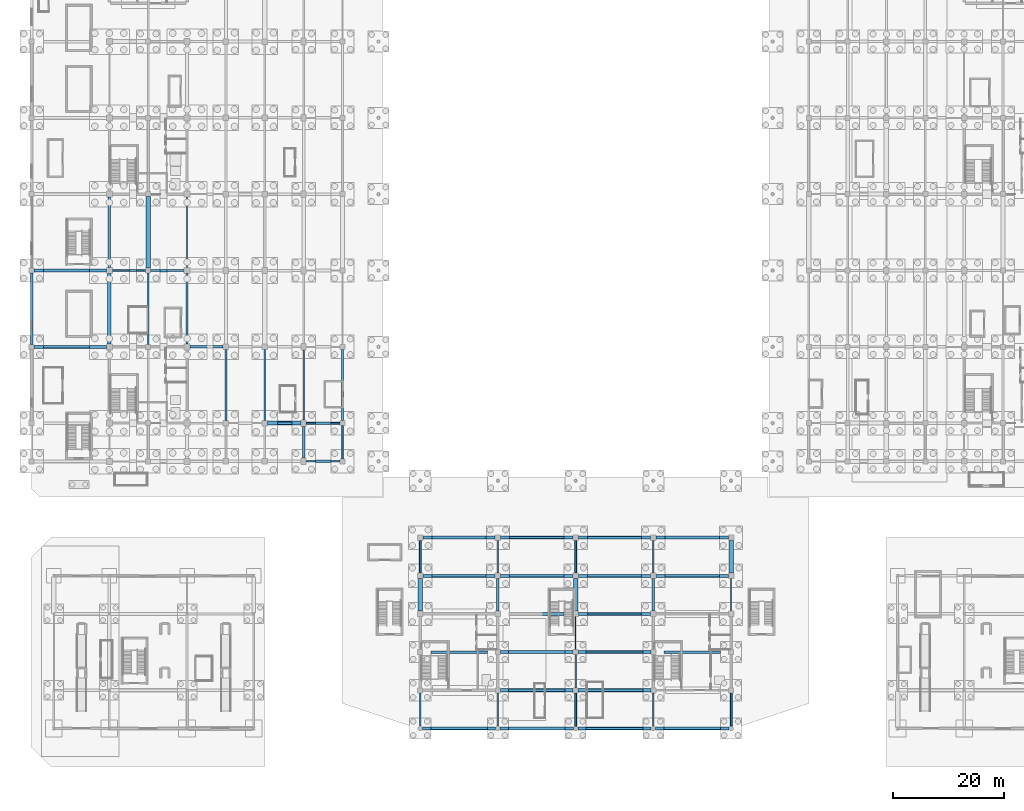
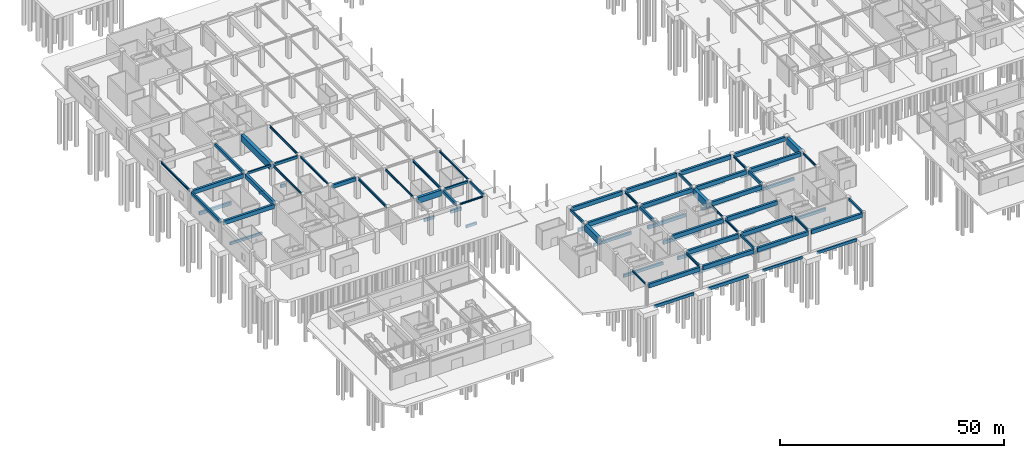
# One storey, part 30 of 62: 83 beams.
"""IFC4 building model written with IfcOpenShell, lengths in metres."""

import ifcopenshell
import ifcopenshell.guid

model = None  # the IFC model being written
_history = None  # IfcOwnerHistory: only IFC2X3 demands one
_inside = {}  # id of a spatial element -> (the spatial element, [elements in it])
_under = {}  # id of a project, library or spatial element -> (it, [spatial elements below it])
_declared = {}  # id of a project -> (the project, [libraries it declares])
_typed = {}  # id of a type object -> (the type object, [elements of that type])
_made_of = {}  # id of a material, layer set ... -> (it, [elements and type objects made of it])


def new_model(schema):
    """Start an empty IFC model of exactly this schema.

    Asked for "IFC4X3", IfcOpenShell would pick the latest addendum, in which some entities
    have other attributes; the version numbers below select the first issue.
    IFC2X3 requires an IfcOwnerHistory on every rooted entity: one is made here for all.
    """
    global model, _history
    if schema == "IFC4X3":
        model = ifcopenshell.file(schema_version=(4, 3, 0, 0))
    else:
        model = ifcopenshell.file(schema=schema)
    _inside.clear()
    _under.clear()
    _declared.clear()
    _typed.clear()
    _made_of.clear()
    _history = None
    if model.schema == "IFC2X3":
        org = make("IfcOrganization", Name="unknown")
        user = make(
            "IfcPersonAndOrganization",
            ThePerson=make("IfcPerson", FamilyName="unknown"),
            TheOrganization=org,
        )
        app = make(
            "IfcApplication",
            ApplicationDeveloper=org,
            Version="unknown",
            ApplicationFullName="unknown",
            ApplicationIdentifier="unknown",
        )
        _history = make(
            "IfcOwnerHistory",
            OwningUser=user,
            OwningApplication=app,
            ChangeAction="ADDED",
            CreationDate=0,
        )
    return model


def make(cls, **values):
    """One entity of the class cls with the attributes given. An attribute that is None is left unset."""
    return model.create_entity(
        cls, **{name: value for name, value in values.items() if value is not None}
    )


def rooted(cls, **values):
    """An entity with a GlobalId (a new one), such as an element, a storey or a relation."""
    return make(cls, GlobalId=ifcopenshell.guid.new(), OwnerHistory=_history, **values)


def si_unit(unit_type, name, prefix=None):
    """IfcSIUnit, for example si_unit("LENGTHUNIT", "METRE", prefix="MILLI")."""
    return make("IfcSIUnit", UnitType=unit_type, Prefix=prefix, Name=name)


def assignment(units):
    """IfcUnitAssignment: the units of a project."""
    return None if units is None else make("IfcUnitAssignment", Units=units)


def point(xyz):
    """IfcCartesianPoint."""
    return None if xyz is None else make("IfcCartesianPoint", Coordinates=xyz)


def direction(xyz):
    """IfcDirection."""
    return None if xyz is None else make("IfcDirection", DirectionRatios=xyz)


def frame(location, z_axis=None, x_axis=None):
    """IfcAxis2Placement3D, a coordinate frame: its origin and axes. An axis left out is left unset."""
    return make(
        "IfcAxis2Placement3D",
        Location=point(location),
        Axis=direction(z_axis),
        RefDirection=direction(x_axis),
    )


def frame_2d(location, x_axis=None):
    """IfcAxis2Placement2D, a coordinate frame in the plane: its origin and x axis."""
    return make(
        "IfcAxis2Placement2D", Location=point(location), RefDirection=direction(x_axis)
    )


def origin():
    """The frame at (0, 0, 0) with its axes left unset."""
    return frame((0.0, 0.0, 0.0))


def origin_2d():
    """The frame at (0, 0) in the plane with its x axis left unset."""
    return frame_2d((0.0, 0.0))


def place(relative_to, where):
    """IfcLocalPlacement: puts the frame where relative to a parent placement (None: the world)."""
    return make(
        "IfcLocalPlacement", PlacementRelTo=relative_to, RelativePlacement=where
    )


def context(
    kind, dimensions, precision=None, world=None, true_north=None, identifier=None
):
    """IfcGeometricRepresentationContext, for example the 3D "Model" context."""
    return make(
        "IfcGeometricRepresentationContext",
        ContextIdentifier=identifier,
        ContextType=kind,
        CoordinateSpaceDimension=dimensions,
        Precision=precision,
        WorldCoordinateSystem=world,
        TrueNorth=true_north,
    )


def subcontext(parent, identifier, kind, view, scale=None):
    """IfcGeometricRepresentationSubContext, for example "Body" below "Model"."""
    return make(
        "IfcGeometricRepresentationSubContext",
        ContextIdentifier=identifier,
        ContextType=kind,
        ParentContext=parent,
        TargetScale=scale,
        TargetView=view,
    )


def project(units=None, contexts=None):
    """IfcProject with its units and contexts."""
    return rooted(
        "IfcProject",
        Name="project",
        RepresentationContexts=contexts,
        UnitsInContext=assignment(units),
    )


def spatial(cls, under=None, at=None, **own):
    """A site, building, storey or space (cls), placed at a placement, below another one or the project."""
    s = rooted(cls, ObjectPlacement=at, **own)
    if under is not None:
        _under.setdefault(under.id(), (under, []))[1].append(s)
    return s


def profile(cls, at=None, kind="AREA", **sizes):
    """A parametric profile (cls). Its sizes go by their IFC names, for example OverallWidth=200.0."""
    return make(cls, ProfileType=kind, Position=at, **sizes)


def rectangle(**sizes):
    """IfcRectangleProfileDef."""
    return profile("IfcRectangleProfileDef", **sizes)


def i_section(**sizes):
    """IfcIShapeProfileDef."""
    return profile("IfcIShapeProfileDef", **sizes)


def extrude(swept, where, along, depth):
    """IfcExtrudedAreaSolid: the profile swept, set in the frame where, extruded along a direction by depth."""
    return make(
        "IfcExtrudedAreaSolid",
        SweptArea=swept,
        Position=where,
        ExtrudedDirection=direction(along),
        Depth=depth,
    )


def shape(context_of_items, identifier, shape_type, items):
    """IfcShapeRepresentation: the items that make up one representation, for example the "Body"."""
    return make(
        "IfcShapeRepresentation",
        ContextOfItems=context_of_items,
        RepresentationIdentifier=identifier,
        RepresentationType=shape_type,
        Items=items,
    )


def material(Name=None, Category=None):
    """IfcMaterial."""
    return make("IfcMaterial", Name=Name, Category=Category)


def material_profile(
    of_material, cross_section, Name=None, Category=None, Priority=None
):
    """IfcMaterialProfile: a cross section and its material."""
    return make(
        "IfcMaterialProfile",
        Name=Name,
        Material=of_material,
        Profile=cross_section,
        Priority=Priority,
        Category=Category,
    )


def profile_set(profiles, Name=None, composite=None):
    """IfcMaterialProfileSet."""
    return make(
        "IfcMaterialProfileSet",
        Name=Name,
        MaterialProfiles=profiles,
        CompositeProfile=composite,
    )


def made_of(thing, what):
    """Note that an element or type object is made of a material, layer set ...; save() writes the relation."""
    if what is not None:
        _made_of.setdefault(what.id(), (what, []))[1].append(thing)
    return thing


def type_object(cls, material=None, **own):
    """A type object (cls), such as IfcWallType, which elements share."""
    return made_of(rooted(cls, **own), material)


def element(
    cls,
    number,
    at=None,
    inside=None,
    cuts=None,
    type_object=None,
    material=None,
    context=None,
    identifier="Body",
    shape_type=None,
    held_by="IfcProductDefinitionShape",
    body=None,
    shapes=None,
    **own,
):
    """One element of the class cls, such as IfcWall. Its Tag is "e" and its number.

    at: its placement. inside: the storey or other place that contains it. cuts: it is an
    opening in that element (IfcRelVoidsElement). A single representation is given by context,
    identifier, shape_type and body (its items); several are given by shapes. held_by: the class
    of the entity that holds the representations. save() writes the other relations.
    """
    e = rooted(cls, Tag="e%d" % number, ObjectPlacement=at, **own)
    if body is not None:
        shapes = [shape(context, identifier, shape_type, body)]
    if shapes is not None:
        e.Representation = make(held_by, Representations=shapes)
    if inside is not None:
        _inside.setdefault(inside.id(), (inside, []))[1].append(e)
    if cuts is not None:
        rooted(
            "IfcRelVoidsElement", RelatingBuildingElement=cuts, RelatedOpeningElement=e
        )
    if type_object is not None:
        _typed.setdefault(type_object.id(), (type_object, []))[1].append(e)
    return made_of(e, material)


def aggregate(whole, parts):
    """IfcRelAggregates: a whole, such as a stair, and the parts it consists of."""
    return rooted("IfcRelAggregates", RelatingObject=whole, RelatedObjects=parts)


def save(model, path):
    """Write the relations noted so far, then the file.

    IfcRelAggregates (storeys below a building ...), IfcRelContainedInSpatialStructure (elements
    in a storey), IfcRelDefinesByType, IfcRelAssociatesMaterial and IfcRelDeclares: one each for
    every whole, place, type object, material and project.
    """
    for whole, parts in _under.values():
        aggregate(whole, parts)
    for where, things in _inside.values():
        rooted(
            "IfcRelContainedInSpatialStructure",
            RelatedElements=things,
            RelatingStructure=where,
        )
    for kind, things in _typed.values():
        rooted("IfcRelDefinesByType", RelatedObjects=things, RelatingType=kind)
    for what, things in _made_of.values():
        rooted("IfcRelAssociatesMaterial", RelatedObjects=things, RelatingMaterial=what)
    for by, libraries in _declared.values():
        rooted("IfcRelDeclares", RelatingContext=by, RelatedDefinitions=libraries)
    model.write(path)


model = new_model("IFC4")

# Units and contexts
model_context = context("Model", 3, precision=1e-05, world=origin(), true_north=direction((0.0, 1.0)))
body_context = subcontext(model_context, "Body", "Model", "MODEL_VIEW")
ifc_project = project(units=[si_unit("LENGTHUNIT", "METRE"), si_unit("AREAUNIT", "SQUARE_METRE"), si_unit("VOLUMEUNIT", "CUBIC_METRE"), si_unit("PLANEANGLEUNIT", "RADIAN"), si_unit("MASSUNIT", "GRAM", prefix="KILO")], contexts=[model_context])

# Site, building, storey
site_placement = place(None, origin())
site = spatial("IfcSite", under=ifc_project, at=site_placement, CompositionType="ELEMENT")
building_placement = place(site_placement, origin())
building = spatial("IfcBuilding", under=site, at=building_placement, Name="Linyun Crest Stadium", CompositionType="ELEMENT")
storey_placement = place(building_placement, frame((0.0, 0.0, -6.0)))
storey = spatial("IfcBuildingStorey", under=building, at=storey_placement, Name="B1", CompositionType="ELEMENT", Elevation=-6.0)

# Beams
ifc_material_1 = material(Name="Concrete C40", Category="concrete")
ifc_material_profile_1 = material_profile(ifc_material_1, rectangle(XDim=0.35009765625, YDim=0.60009765625, at=origin_2d()), Name="RCB 600x350")
ifc_profile_set_1 = profile_set([ifc_material_profile_1], Name="Concrete C40")
beam_type_1 = type_object("IfcBeamType", Name="B01", PredefinedType="BEAM", material=ifc_profile_set_1)
beam_1_placement = place(storey_placement, frame((-48.550048828125, -39.125, 5.449951171875), z_axis=(1.0, 0.0, 0.0), x_axis=(0.0, 1.0, 0.0)))
element("IfcBeam", 1, at=beam_1_placement, inside=storey, type_object=beam_type_1, Name="Frame beam B01 B1 11", PredefinedType="BEAM", context=body_context, shape_type="SweptSolid", body=[
    extrude(rectangle(XDim=0.35009765625, YDim=0.60009765625, at=origin_2d()), origin(), (0.0, 0.0, 1.0), 6.10009765625),
])
beam_2_placement = place(storey_placement, frame((-83.449951171875, -11.625, 5.449951171875), z_axis=(1.0, 0.0, 0.0), x_axis=(0.0, 1.0, 0.0)))
element("IfcBeam", 2, at=beam_2_placement, inside=storey, type_object=beam_type_1, Name="Frame beam B01 B1 18", PredefinedType="BEAM", context=body_context, shape_type="SweptSolid", body=[
    extrude(rectangle(XDim=0.35009765625, YDim=0.60009765625, at=origin_2d()), origin(), (0.0, 0.0, 1.0), 6.0),
])
ifc_material_2 = material(Name="Concrete C40", Category="concrete")
ifc_material_profile_2 = material_profile(ifc_material_2, rectangle(XDim=0.35009765625, YDim=0.64990234375, at=origin_2d()), Name="RCB 650x350")
ifc_profile_set_2 = profile_set([ifc_material_profile_2], Name="Concrete C40")
beam_type_2 = type_object("IfcBeamType", Name="B02", PredefinedType="BEAM", material=ifc_profile_set_2)
beam_3_placement = place(storey_placement, frame((-42.0, -45.550048828125, 5.425048828125), z_axis=(0.0, 1.0, 0.0), x_axis=(-1.0, 0.0, 0.0)))
element("IfcBeam", 3, at=beam_3_placement, inside=storey, type_object=beam_type_2, Name="Frame beam B02 B1 89", PredefinedType="BEAM", context=body_context, shape_type="SweptSolid", body=[
    extrude(rectangle(XDim=0.35009765625, YDim=0.64990234375, at=origin_2d()), origin(), (0.0, 0.0, 1.0), 5.97509765625),
])
beam_4_placement = place(storey_placement, frame((-28.0, -66.125, 5.425048828125), z_axis=(0.0, 1.0, 0.0), x_axis=(-1.0, 0.0, 0.0)))
element("IfcBeam", 4, at=beam_4_placement, inside=storey, type_object=beam_type_2, Name="Frame beam B02 B1 853", PredefinedType="BEAM", context=body_context, shape_type="SweptSolid", body=[
    extrude(rectangle(XDim=0.35009765625, YDim=0.64990234375, at=origin_2d()), origin(), (0.0, 0.0, 1.0), 5.875),
])
beam_5_placement = place(storey_placement, frame((0.0, -93.72509765625, 5.425048828125), z_axis=(0.0, 1.0, 0.0), x_axis=(-1.0, 0.0, 0.0)))
element("IfcBeam", 5, at=beam_5_placement, inside=storey, type_object=beam_type_2, Name="Frame beam B02 B1 857", PredefinedType="BEAM", context=body_context, shape_type="SweptSolid", body=[
    extrude(rectangle(XDim=0.35009765625, YDim=0.64990234375, at=origin_2d()), origin(), (0.0, 0.0, 1.0), 6.025146484375),
])
beam_6_placement = place(storey_placement, frame((0.0, -66.125, 5.425048828125), z_axis=(0.0, 1.0, 0.0), x_axis=(-1.0, 0.0, 0.0)))
element("IfcBeam", 6, at=beam_6_placement, inside=storey, type_object=beam_type_2, Name="Frame beam B02 B1 861", PredefinedType="BEAM", context=body_context, shape_type="SweptSolid", body=[
    extrude(rectangle(XDim=0.35009765625, YDim=0.64990234375, at=origin_2d()), origin(), (0.0, 0.0, 1.0), 5.875),
])
beam_7_placement = place(storey_placement, frame((28.0, -93.72509765625, 5.425048828125), z_axis=(0.0, 1.0, 0.0), x_axis=(-1.0, 0.0, 0.0)))
element("IfcBeam", 7, at=beam_7_placement, inside=storey, type_object=beam_type_2, Name="Frame beam B02 B1 865", PredefinedType="BEAM", context=body_context, shape_type="SweptSolid", body=[
    extrude(rectangle(XDim=0.35009765625, YDim=0.64990234375, at=origin_2d()), origin(), (0.0, 0.0, 1.0), 6.025146484375),
])
ifc_material_3 = material(Name="Concrete C40", Category="concrete")
ifc_material_profile_3 = material_profile(ifc_material_3, rectangle(XDim=0.39990234375, YDim=0.75, at=origin_2d()), Name="RCB 750x400")
ifc_profile_set_3 = profile_set([ifc_material_profile_3], Name="Concrete C40")
beam_type_3 = type_object("IfcBeamType", Name="B03", PredefinedType="BEAM", material=ifc_profile_set_3)
beam_8_placement = place(storey_placement, frame((-76.550048828125, -11.625, 5.375), z_axis=(1.0, 0.0, 0.0), x_axis=(0.0, 1.0, 0.0)))
element("IfcBeam", 8, at=beam_8_placement, inside=storey, type_object=beam_type_3, Name="Frame beam B03 B1 19", PredefinedType="BEAM", context=body_context, shape_type="SweptSolid", body=[
    extrude(rectangle(XDim=0.39990234375, YDim=0.75, at=origin_2d()), origin(), (0.0, 0.0, 1.0), 6.0),
])
ifc_material_4 = material(Name="Concrete C40", Category="concrete")
ifc_material_profile_4 = material_profile(ifc_material_4, rectangle(XDim=0.449951171875, YDim=0.85009765625, at=origin_2d()), Name="RCB 850x450")
ifc_profile_set_4 = profile_set([ifc_material_profile_4], Name="Concrete C40")
beam_type_4 = type_object("IfcBeamType", Name="B04", PredefinedType="BEAM", material=ifc_profile_set_4)
beam_9_placement = place(storey_placement, frame((-98.0, -24.925048828125, 5.324951171875), z_axis=(0.0, 1.0, 0.0), x_axis=(-1.0, 0.0, 0.0)))
element("IfcBeam", 9, at=beam_9_placement, inside=storey, type_object=beam_type_4, Name="Frame beam B04 B1 48", PredefinedType="BEAM", context=body_context, shape_type="SweptSolid", body=[
    extrude(rectangle(XDim=0.449951171875, YDim=0.85009765625, at=origin_2d()), origin(), (0.0, 0.0, 1.0), 12.85009765625),
])
beam_10_placement = place(storey_placement, frame((-84.0, -11.074951171875, 5.324951171875), z_axis=(0.0, 1.0, 0.0), x_axis=(-1.0, 0.0, 0.0)))
element("IfcBeam", 10, at=beam_10_placement, inside=storey, type_object=beam_type_4, Name="Frame beam B04 B1 55", PredefinedType="BEAM", context=body_context, shape_type="SweptSolid", body=[
    extrude(rectangle(XDim=0.449951171875, YDim=0.85009765625, at=origin_2d()), origin(), (0.0, 0.0, 1.0), 12.64990234375),
])
beam_11_placement = place(storey_placement, frame((-49.0, -45.39990234375, 5.324951171875), z_axis=(0.0, 1.0, 0.0), x_axis=(-1.0, 0.0, 0.0)))
element("IfcBeam", 11, at=beam_11_placement, inside=storey, type_object=beam_type_4, Name="Frame beam B04 B1 82", PredefinedType="BEAM", context=body_context, shape_type="SweptSolid", body=[
    extrude(rectangle(XDim=0.449951171875, YDim=0.85009765625, at=origin_2d()), origin(), (0.0, 0.0, 1.0), 5.6748046875),
])
for number, where, z_axis, x_axis, name in (
    (12, (-14.0, -73.0, 5.324951171875), (0.0, 1.0, 0.0), (-1.0, 0.0, 0.0), "Frame beam B04 B1 855"),
    (13, (14.0, -73.0, 5.324951171875), (0.0, 1.0, 0.0), (-1.0, 0.0, 0.0), "Frame beam B04 B1 863"),
):
    element("IfcBeam", number, at=place(storey_placement, frame(where, z_axis=z_axis, x_axis=x_axis)), inside=storey, type_object=beam_type_4, Name=name, PredefinedType="BEAM", context=body_context, shape_type="SweptSolid", body=[
        extrude(rectangle(XDim=0.449951171875, YDim=0.85009765625, at=origin_2d()), origin(), (0.0, 0.0, 1.0), 5.875),
    ])
ifc_material_5 = material(Name="Concrete C40", Category="concrete")
ifc_material_profile_5 = material_profile(ifc_material_5, rectangle(XDim=0.5, YDim=1.0, at=origin_2d()), Name="RCB 1000x500")
ifc_profile_set_5 = profile_set([ifc_material_profile_5], Name="Concrete C40")
beam_type_5 = type_object("IfcBeamType", Name="B05", PredefinedType="BEAM", material=ifc_profile_set_5)
beam_12_placement = place(storey_placement, frame((-69.449951171875, -25.375, 5.25), z_axis=(1.0, 0.0, 0.0), x_axis=(0.0, 1.0, 0.0)))
element("IfcBeam", 14, at=beam_12_placement, inside=storey, type_object=beam_type_5, Name="Frame beam B05 B1 13", PredefinedType="BEAM", context=body_context, shape_type="SweptSolid", body=[
    extrude(rectangle(XDim=0.5, YDim=1.0, at=origin_2d()), origin(), (0.0, 0.0, 1.0), 5.949951171875),
])
ifc_material_6 = material(Name="Steel Q355C", Category="steel")
ifc_material_profile_6 = material_profile(ifc_material_6, i_section(OverallWidth=0.300048828125, OverallDepth=0.389892578125, WebThickness=0.010009765625, FlangeThickness=0.01611328125, at=origin_2d()), Name="HM 390x300")
ifc_profile_set_6 = profile_set([ifc_material_profile_6], Name="Steel Q355C")
beam_type_6 = type_object("IfcBeamType", Name="B06", PredefinedType="BEAM", material=ifc_profile_set_6)
beam_13_placement = place(storey_placement, frame((-48.550048828125, -46.0, 5.554931640625), z_axis=(1.0, 0.0, 0.0), x_axis=(0.0, 1.0, 0.0)))
element("IfcBeam", 15, at=beam_13_placement, inside=storey, type_object=beam_type_6, Name="Frame beam B06 B1 7", PredefinedType="BEAM", context=body_context, shape_type="SweptSolid", body=[
    extrude(i_section(OverallWidth=0.300048828125, OverallDepth=0.389892578125, WebThickness=0.010009765625, FlangeThickness=0.01611328125, at=origin_2d()), origin(), (0.0, 0.0, 1.0), 6.10009765625),
])
ifc_material_7 = material(Name="Steel Q355C", Category="steel")
ifc_material_profile_7 = material_profile(ifc_material_7, i_section(OverallWidth=0.300048828125, OverallDepth=0.43994140625, WebThickness=0.010986328125, FlangeThickness=0.01806640625, at=origin_2d()), Name="HM 440x300")
ifc_profile_set_7 = profile_set([ifc_material_profile_7], Name="Steel Q355C")
beam_type_7 = type_object("IfcBeamType", Name="B07", PredefinedType="BEAM", material=ifc_profile_set_7)
beam_14_placement = place(storey_placement, frame((-70.0, -24.824951171875, 5.530029296875), z_axis=(0.0, 1.0, 0.0), x_axis=(-1.0, 0.0, 0.0)))
element("IfcBeam", 16, at=beam_14_placement, inside=storey, type_object=beam_type_7, Name="Frame beam B07 B1 65", PredefinedType="BEAM", context=body_context, shape_type="SweptSolid", body=[
    extrude(i_section(OverallWidth=0.300048828125, OverallDepth=0.43994140625, WebThickness=0.010986328125, FlangeThickness=0.01806640625, at=origin_2d()), origin(), (0.0, 0.0, 1.0), 12.64990234375),
])
beam_15_placement = place(storey_placement, frame((-42.0, -38.675048828125, 5.530029296875), z_axis=(0.0, 1.0, 0.0), x_axis=(-1.0, 0.0, 0.0)))
element("IfcBeam", 17, at=beam_15_placement, inside=storey, type_object=beam_type_7, Name="Frame beam B07 B1 90", PredefinedType="BEAM", context=body_context, shape_type="SweptSolid", body=[
    extrude(i_section(OverallWidth=0.300048828125, OverallDepth=0.43994140625, WebThickness=0.010986328125, FlangeThickness=0.01806640625, at=origin_2d()), origin(), (0.0, 0.0, 1.0), 12.85009765625),
])
beam_16_placement = place(storey_placement, frame((-28.0, -93.72509765625, 5.530029296875), z_axis=(0.0, 1.0, 0.0), x_axis=(-1.0, 0.0, 0.0)))
element("IfcBeam", 18, at=beam_16_placement, inside=storey, type_object=beam_type_7, Name="Frame beam B07 B1 851", PredefinedType="BEAM", context=body_context, shape_type="SweptSolid", body=[
    extrude(i_section(OverallWidth=0.300048828125, OverallDepth=0.43994140625, WebThickness=0.010986328125, FlangeThickness=0.01806640625, at=origin_2d()), origin(), (0.0, 0.0, 1.0), 6.025146484375),
])
beam_17_placement = place(storey_placement, frame((0.0, -86.800048828125, 5.530029296875), z_axis=(0.0, 1.0, 0.0), x_axis=(-1.0, 0.0, 0.0)))
element("IfcBeam", 19, at=beam_17_placement, inside=storey, type_object=beam_type_7, Name="Frame beam B07 B1 858", PredefinedType="BEAM", context=body_context, shape_type="SweptSolid", body=[
    extrude(i_section(OverallWidth=0.300048828125, OverallDepth=0.43994140625, WebThickness=0.010986328125, FlangeThickness=0.01806640625, at=origin_2d()), origin(), (0.0, 0.0, 1.0), 5.97509765625),
])
ifc_material_8 = material(Name="Steel Q355C", Category="steel")
ifc_material_profile_8 = material_profile(ifc_material_8, i_section(OverallWidth=0.300048828125, OverallDepth=0.587890625, WebThickness=0.011962890625, FlangeThickness=0.02001953125, at=origin_2d()), Name="HM 588x300")
ifc_profile_set_8 = profile_set([ifc_material_profile_8], Name="Steel Q355C")
beam_type_8 = type_object("IfcBeamType", Name="B09", PredefinedType="BEAM", material=ifc_profile_set_8)
beam_18_placement = place(storey_placement, frame((-98.0, -11.175048828125, 5.4560546875), z_axis=(0.0, 1.0, 0.0), x_axis=(-1.0, 0.0, 0.0)))
element("IfcBeam", 20, at=beam_18_placement, inside=storey, type_object=beam_type_8, Name="Frame beam B09 B1 49", PredefinedType="BEAM", context=body_context, shape_type="SweptSolid", body=[
    extrude(i_section(OverallWidth=0.300048828125, OverallDepth=0.587890625, WebThickness=0.011962890625, FlangeThickness=0.02001953125, at=origin_2d()), origin(), (0.0, 0.0, 1.0), 12.85009765625),
])
beam_19_placement = place(storey_placement, frame((-49.0, -38.52490234375, 5.4560546875), z_axis=(0.0, 1.0, 0.0), x_axis=(-1.0, 0.0, 0.0)))
element("IfcBeam", 21, at=beam_19_placement, inside=storey, type_object=beam_type_8, Name="Frame beam B09 B1 83", PredefinedType="BEAM", context=body_context, shape_type="SweptSolid", body=[
    extrude(i_section(OverallWidth=0.300048828125, OverallDepth=0.587890625, WebThickness=0.011962890625, FlangeThickness=0.02001953125, at=origin_2d()), origin(), (0.0, 0.0, 1.0), 12.5498046875),
])
for number, where, z_axis, x_axis, name in (
    (22, (-14.0, -66.125, 5.4560546875), (0.0, 1.0, 0.0), (-1.0, 0.0, 0.0), "Frame beam B09 B1 856"),
    (23, (14.0, -66.125, 5.4560546875), (0.0, 1.0, 0.0), (-1.0, 0.0, 0.0), "Frame beam B09 B1 864"),
):
    element("IfcBeam", number, at=place(storey_placement, frame(where, z_axis=z_axis, x_axis=x_axis)), inside=storey, type_object=beam_type_8, Name=name, PredefinedType="BEAM", context=body_context, shape_type="SweptSolid", body=[
        extrude(i_section(OverallWidth=0.300048828125, OverallDepth=0.587890625, WebThickness=0.011962890625, FlangeThickness=0.02001953125, at=origin_2d()), origin(), (0.0, 0.0, 1.0), 5.875),
    ])
ifc_material_9 = material(Name="Steel Q355C", Category="steel")
ifc_material_profile_9 = material_profile(ifc_material_9, i_section(OverallWidth=0.199951171875, OverallDepth=0.60009765625, WebThickness=0.010986328125, FlangeThickness=0.01708984375, at=origin_2d()), Name="HN 600x200")
ifc_profile_set_9 = profile_set([ifc_material_profile_9], Name="Steel Q355C")
beam_type_9 = type_object("IfcBeamType", Name="B11", PredefinedType="BEAM", material=ifc_profile_set_9)
beam_20_placement = place(storey_placement, frame((-77.0, -24.925048828125, 5.449951171875), z_axis=(0.0, 1.0, 0.0), x_axis=(-1.0, 0.0, 0.0)))
element("IfcBeam", 24, at=beam_20_placement, inside=storey, type_object=beam_type_9, Name="Frame beam B11 B1 59", PredefinedType="BEAM", context=body_context, shape_type="SweptSolid", body=[
    extrude(i_section(OverallWidth=0.199951171875, OverallDepth=0.60009765625, WebThickness=0.010986328125, FlangeThickness=0.01708984375, at=origin_2d()), origin(), (0.0, 0.0, 1.0), 12.85009765625),
])
beam_21_placement = place(storey_placement, frame((-70.0, -11.074951171875, 5.449951171875), z_axis=(0.0, 1.0, 0.0), x_axis=(-1.0, 0.0, 0.0)))
element("IfcBeam", 25, at=beam_21_placement, inside=storey, type_object=beam_type_9, Name="Frame beam B11 B1 66", PredefinedType="BEAM", context=body_context, shape_type="SweptSolid", body=[
    extrude(i_section(OverallWidth=0.199951171875, OverallDepth=0.60009765625, WebThickness=0.010986328125, FlangeThickness=0.01708984375, at=origin_2d()), origin(), (0.0, 0.0, 1.0), 12.64990234375),
])
beam_22_placement = place(storey_placement, frame((-56.0, -38.625, 5.449951171875), z_axis=(0.0, 1.0, 0.0), x_axis=(-1.0, 0.0, 0.0)))
element("IfcBeam", 26, at=beam_22_placement, inside=storey, type_object=beam_type_9, Name="Frame beam B11 B1 76", PredefinedType="BEAM", context=body_context, shape_type="SweptSolid", body=[
    extrude(i_section(OverallWidth=0.199951171875, OverallDepth=0.60009765625, WebThickness=0.010986328125, FlangeThickness=0.01708984375, at=origin_2d()), origin(), (0.0, 0.0, 1.0), 12.75),
])
beam_23_placement = place(storey_placement, frame((0.0, -79.925048828125, 5.449951171875), z_axis=(0.0, 1.0, 0.0), x_axis=(-1.0, 0.0, 0.0)))
element("IfcBeam", 27, at=beam_23_placement, inside=storey, type_object=beam_type_9, Name="Frame beam B11 B1 859", PredefinedType="BEAM", context=body_context, shape_type="SweptSolid", body=[
    extrude(i_section(OverallWidth=0.199951171875, OverallDepth=0.60009765625, WebThickness=0.010986328125, FlangeThickness=0.01708984375, at=origin_2d()), origin(), (0.0, 0.0, 1.0), 5.925048828125),
])
beam_24_placement = place(storey_placement, frame((28.0, -73.0, 5.449951171875), z_axis=(0.0, 1.0, 0.0), x_axis=(-1.0, 0.0, 0.0)))
element("IfcBeam", 28, at=beam_24_placement, inside=storey, type_object=beam_type_9, Name="Frame beam B11 B1 866", PredefinedType="BEAM", context=body_context, shape_type="SweptSolid", body=[
    extrude(i_section(OverallWidth=0.199951171875, OverallDepth=0.60009765625, WebThickness=0.010986328125, FlangeThickness=0.01708984375, at=origin_2d()), origin(), (0.0, 0.0, 1.0), 5.875),
])
ifc_material_10 = material(Name="Steel Q355C", Category="steel")
ifc_material_profile_10 = material_profile(ifc_material_10, i_section(OverallWidth=0.300048828125, OverallDepth=0.699951171875, WebThickness=0.012939453125, FlangeThickness=0.02392578125, at=origin_2d()), Name="HN 700x300")
ifc_profile_set_10 = profile_set([ifc_material_profile_10], Name="Steel Q355C")
beam_type_10 = type_object("IfcBeamType", Name="B12", PredefinedType="BEAM", material=ifc_profile_set_10)
beam_25_placement = place(storey_placement, frame((-63.0, -38.625, 5.39990234375), z_axis=(0.0, 1.0, 0.0), x_axis=(-1.0, 0.0, 0.0)))
element("IfcBeam", 29, at=beam_25_placement, inside=storey, type_object=beam_type_10, Name="Frame beam B12 B1 69", PredefinedType="BEAM", context=body_context, shape_type="SweptSolid", body=[
    extrude(i_section(OverallWidth=0.300048828125, OverallDepth=0.699951171875, WebThickness=0.012939453125, FlangeThickness=0.02392578125, at=origin_2d()), origin(), (0.0, 0.0, 1.0), 12.75),
])
for number, where, z_axis, x_axis, name in (
    (30, (-14.0, -93.72509765625, 5.39990234375), (0.0, 1.0, 0.0), (-1.0, 0.0, 0.0), "Frame beam B12 B1 854"),
    (31, (14.0, -93.72509765625, 5.39990234375), (0.0, 1.0, 0.0), (-1.0, 0.0, 0.0), "Frame beam B12 B1 862"),
):
    element("IfcBeam", number, at=place(storey_placement, frame(where, z_axis=z_axis, x_axis=x_axis)), inside=storey, type_object=beam_type_10, Name=name, PredefinedType="BEAM", context=body_context, shape_type="SweptSolid", body=[
        extrude(i_section(OverallWidth=0.300048828125, OverallDepth=0.699951171875, WebThickness=0.012939453125, FlangeThickness=0.02392578125, at=origin_2d()), origin(), (0.0, 0.0, 1.0), 6.025146484375),
    ])
ifc_material_11 = material(Name="Concrete C50", Category="concrete")
ifc_material_profile_11 = material_profile(ifc_material_11, rectangle(XDim=0.699951171875, YDim=1.60009765625, at=origin_2d()), Name="RCB 1600x700")
ifc_profile_set_11 = profile_set([ifc_material_profile_11], Name="Concrete C50")
beam_type_11 = type_object("IfcBeamType", Name="B13", PredefinedType="BEAM", material=ifc_profile_set_11)
beam_26_placement = place(storey_placement, frame((-55.5, -39.125, 4.949951171875), z_axis=(1.0, 0.0, 0.0), x_axis=(0.0, 1.0, 0.0)))
element("IfcBeam", 32, at=beam_26_placement, inside=storey, type_object=beam_type_11, Name="Frame beam B13 B1 10", PredefinedType="BEAM", context=body_context, shape_type="SweptSolid", body=[
    extrude(rectangle(XDim=0.699951171875, YDim=1.60009765625, at=origin_2d()), origin(), (0.0, 0.0, 1.0), 6.050048828125),
])
ifc_material_12 = material(Name="Concrete C50", Category="concrete")
ifc_material_profile_12 = material_profile(ifc_material_12, rectangle(XDim=0.800048828125, YDim=1.800048828125, at=origin_2d()), Name="RCB 1800x800")
ifc_profile_set_12 = profile_set([ifc_material_profile_12], Name="Concrete C50")
beam_type_12 = type_object("IfcBeamType", Name="B14", PredefinedType="BEAM", material=ifc_profile_set_12)
beam_27_placement = place(storey_placement, frame((-77.0, -11.175048828125, 4.85009765625), z_axis=(0.0, 1.0, 0.0), x_axis=(-1.0, 0.0, 0.0)))
element("IfcBeam", 33, at=beam_27_placement, inside=storey, type_object=beam_type_12, Name="Frame beam B14 B1 60", PredefinedType="BEAM", context=body_context, shape_type="SweptSolid", body=[
    extrude(rectangle(XDim=0.800048828125, YDim=1.800048828125, at=origin_2d()), origin(), (0.0, 0.0, 1.0), 12.85009765625),
])
for number, where, z_axis, x_axis, name in (
    (34, (-28.0, -73.0, 4.85009765625), (0.0, 1.0, 0.0), (-1.0, 0.0, 0.0), "Frame beam B14 B1 852"),
    (35, (0.0, -73.0, 4.85009765625), (0.0, 1.0, 0.0), (-1.0, 0.0, 0.0), "Frame beam B14 B1 860"),
    (36, (28.0, -66.125, 4.85009765625), (0.0, 1.0, 0.0), (-1.0, 0.0, 0.0), "Frame beam B14 B1 867"),
):
    element("IfcBeam", number, at=place(storey_placement, frame(where, z_axis=z_axis, x_axis=x_axis)), inside=storey, type_object=beam_type_12, Name=name, PredefinedType="BEAM", context=body_context, shape_type="SweptSolid", body=[
        extrude(rectangle(XDim=0.800048828125, YDim=1.800048828125, at=origin_2d()), origin(), (0.0, 0.0, 1.0), 5.875),
    ])
ifc_material_13 = material(Name="Concrete C40", Category="concrete")
ifc_material_profile_13 = material_profile(ifc_material_13, rectangle(XDim=0.39990234375, YDim=0.699951171875, at=origin_2d()), Name="RCB 700x400")
ifc_profile_set_13 = profile_set([ifc_material_profile_13], Name="Concrete C40")
beam_type_13 = type_object("IfcBeamType", Name="GB01", PredefinedType="BEAM", material=ifc_profile_set_13)
beam_28_placement = place(storey_placement, frame((-46.89599609375, -46.0, -1.10009765625), z_axis=(1.0, 0.0, 0.0), x_axis=(0.0, 1.0, 0.0)))
element("IfcBeam", 37, at=beam_28_placement, inside=storey, type_object=beam_type_13, Name="Ground beam GB01 7", PredefinedType="BEAM", context=body_context, shape_type="SweptSolid", body=[
    extrude(rectangle(XDim=0.39990234375, YDim=0.699951171875, at=origin_2d()), origin(), (0.0, 0.0, 1.0), 2.7919921875),
])
beam_29_placement = place(storey_placement, frame((-95.89599609375, -25.375, -1.10009765625), z_axis=(1.0, 0.0, 0.0), x_axis=(0.0, 1.0, 0.0)))
element("IfcBeam", 38, at=beam_29_placement, inside=storey, type_object=beam_type_13, Name="Ground beam GB01 13", PredefinedType="BEAM", context=body_context, shape_type="SweptSolid", body=[
    extrude(rectangle(XDim=0.39990234375, YDim=0.699951171875, at=origin_2d()), origin(), (0.0, 0.0, 1.0), 8.2919921875),
])
beam_30_placement = place(storey_placement, frame((-80.39599609375, -11.625, -1.10009765625), z_axis=(1.0, 0.0, 0.0), x_axis=(0.0, 1.0, 0.0)))
element("IfcBeam", 39, at=beam_30_placement, inside=storey, type_object=beam_type_13, Name="Ground beam GB01 19", PredefinedType="BEAM", context=body_context, shape_type="SweptSolid", body=[
    extrude(rectangle(XDim=0.39990234375, YDim=0.699951171875, at=origin_2d()), origin(), (0.0, 0.0, 1.0), 1.2919921875),
])
for number, where, z_axis, x_axis, name in (
    (40, (1.904052734375, -94.125, -0.949951171875), (1.0, 0.0, 0.0), (0.0, 1.0, 0.0), "Ground beam GB01 115"),
    (41, (1.904052734375, -87.25, -0.949951171875), (1.0, 0.0, 0.0), (0.0, 1.0, 0.0), "Ground beam GB01 118"),
    (42, (1.904052734375, -80.375, -0.949951171875), (1.0, 0.0, 0.0), (0.0, 1.0, 0.0), "Ground beam GB01 121"),
):
    element("IfcBeam", number, at=place(storey_placement, frame(where, z_axis=z_axis, x_axis=x_axis)), inside=storey, type_object=beam_type_13, Name=name, PredefinedType="BEAM", context=body_context, shape_type="SweptSolid", body=[
        extrude(rectangle(XDim=0.39990234375, YDim=0.699951171875, at=origin_2d()), origin(), (0.0, 0.0, 1.0), 10.19189453125),
    ])
for number, where, z_axis, x_axis, name in (
    (43, (2.10400390625, -73.5, -0.949951171875), (1.0, 0.0, 0.0), (0.0, 1.0, 0.0), "Ground beam GB01 124"),
    (44, (2.10400390625, -66.625, -0.949951171875), (1.0, 0.0, 0.0), (0.0, 1.0, 0.0), "Ground beam GB01 127"),
    (45, (-11.89599609375, -59.75, -0.949951171875), (1.0, 0.0, 0.0), (0.0, 1.0, 0.0), "Ground beam GB01 130"),
):
    element("IfcBeam", number, at=place(storey_placement, frame(where, z_axis=z_axis, x_axis=x_axis)), inside=storey, type_object=beam_type_13, Name=name, PredefinedType="BEAM", context=body_context, shape_type="SweptSolid", body=[
        extrude(rectangle(XDim=0.39990234375, YDim=0.699951171875, at=origin_2d()), origin(), (0.0, 0.0, 1.0), 9.7919921875),
    ])
ifc_material_14 = material(Name="Concrete C40", Category="concrete")
ifc_material_profile_14 = material_profile(ifc_material_14, rectangle(XDim=0.449951171875, YDim=0.800048828125, at=origin_2d()), Name="RCB 800x450")
ifc_profile_set_14 = profile_set([ifc_material_profile_14], Name="Concrete C40")
beam_type_14 = type_object("IfcBeamType", Name="GB02", PredefinedType="BEAM", material=ifc_profile_set_14)
beam_31_placement = place(storey_placement, frame((-53.696044921875, -39.125, -1.14990234375), z_axis=(1.0, 0.0, 0.0), x_axis=(0.0, 1.0, 0.0)))
element("IfcBeam", 46, at=beam_31_placement, inside=storey, type_object=beam_type_14, Name="Ground beam GB02 11", PredefinedType="BEAM", context=body_context, shape_type="SweptSolid", body=[
    extrude(rectangle(XDim=0.449951171875, YDim=0.800048828125, at=origin_2d()), origin(), (0.0, 0.0, 1.0), 2.592041015625),
])
beam_32_placement = place(storey_placement, frame((-74.89599609375, -11.625, -1.14990234375), z_axis=(1.0, 0.0, 0.0), x_axis=(0.0, 1.0, 0.0)))
element("IfcBeam", 47, at=beam_32_placement, inside=storey, type_object=beam_type_14, Name="Ground beam GB02 20", PredefinedType="BEAM", context=body_context, shape_type="SweptSolid", body=[
    extrude(rectangle(XDim=0.449951171875, YDim=0.800048828125, at=origin_2d()), origin(), (0.0, 0.0, 1.0), 1.2919921875),
])
for number, where, z_axis, x_axis, name in (
    (48, (-26.095947265625, -94.125, -1.0), (1.0, 0.0, 0.0), (0.0, 1.0, 0.0), "Ground beam GB02 113"),
    (49, (15.904052734375, -94.125, -1.0), (1.0, 0.0, 0.0), (0.0, 1.0, 0.0), "Ground beam GB02 116"),
    (50, (-26.095947265625, -80.375, -1.0), (1.0, 0.0, 0.0), (0.0, 1.0, 0.0), "Ground beam GB02 119"),
    (51, (15.904052734375, -80.375, -1.0), (1.0, 0.0, 0.0), (0.0, 1.0, 0.0), "Ground beam GB02 122"),
):
    element("IfcBeam", number, at=place(storey_placement, frame(where, z_axis=z_axis, x_axis=x_axis)), inside=storey, type_object=beam_type_14, Name=name, PredefinedType="BEAM", context=body_context, shape_type="SweptSolid", body=[
        extrude(rectangle(XDim=0.449951171875, YDim=0.800048828125, at=origin_2d()), origin(), (0.0, 0.0, 1.0), 10.19189453125),
    ])
for number, where, z_axis, x_axis, name in (
    (52, (-25.89599609375, -66.625, -1.0), (1.0, 0.0, 0.0), (0.0, 1.0, 0.0), "Ground beam GB02 125"),
    (53, (16.10400390625, -66.625, -1.0), (1.0, 0.0, 0.0), (0.0, 1.0, 0.0), "Ground beam GB02 128"),
    (54, (2.10400390625, -59.75, -1.0), (1.0, 0.0, 0.0), (0.0, 1.0, 0.0), "Ground beam GB02 131"),
):
    element("IfcBeam", number, at=place(storey_placement, frame(where, z_axis=z_axis, x_axis=x_axis)), inside=storey, type_object=beam_type_14, Name=name, PredefinedType="BEAM", context=body_context, shape_type="SweptSolid", body=[
        extrude(rectangle(XDim=0.449951171875, YDim=0.800048828125, at=origin_2d()), origin(), (0.0, 0.0, 1.0), 9.7919921875),
    ])
ifc_material_15 = material(Name="Concrete C40", Category="concrete")
ifc_material_profile_15 = material_profile(ifc_material_15, rectangle(XDim=0.5, YDim=0.89990234375, at=origin_2d()), Name="RCB 900x500")
ifc_profile_set_15 = profile_set([ifc_material_profile_15], Name="Concrete C40")
beam_type_15 = type_object("IfcBeamType", Name="GB03", PredefinedType="BEAM", material=ifc_profile_set_15)
beam_33_placement = place(storey_placement, frame((-46.89599609375, -39.125, -1.199951171875), z_axis=(1.0, 0.0, 0.0), x_axis=(0.0, 1.0, 0.0)))
element("IfcBeam", 55, at=beam_33_placement, inside=storey, type_object=beam_type_15, Name="Ground beam GB03 12", PredefinedType="BEAM", context=body_context, shape_type="SweptSolid", body=[
    extrude(rectangle(XDim=0.5, YDim=0.89990234375, at=origin_2d()), origin(), (0.0, 0.0, 1.0), 2.7919921875),
])
beam_34_placement = place(storey_placement, frame((-95.89599609375, -11.625, -1.199951171875), z_axis=(1.0, 0.0, 0.0), x_axis=(0.0, 1.0, 0.0)))
element("IfcBeam", 56, at=beam_34_placement, inside=storey, type_object=beam_type_15, Name="Ground beam GB03 18", PredefinedType="BEAM", context=body_context, shape_type="SweptSolid", body=[
    extrude(rectangle(XDim=0.5, YDim=0.89990234375, at=origin_2d()), origin(), (0.0, 0.0, 1.0), 8.2919921875),
])
for number, where, z_axis, x_axis, name in (
    (57, (-12.095947265625, -94.125, -1.050048828125), (1.0, 0.0, 0.0), (0.0, 1.0, 0.0), "Ground beam GB03 114"),
    (58, (-12.095947265625, -87.25, -1.050048828125), (1.0, 0.0, 0.0), (0.0, 1.0, 0.0), "Ground beam GB03 117"),
    (59, (-12.095947265625, -80.375, -1.050048828125), (1.0, 0.0, 0.0), (0.0, 1.0, 0.0), "Ground beam GB03 120"),
):
    element("IfcBeam", number, at=place(storey_placement, frame(where, z_axis=z_axis, x_axis=x_axis)), inside=storey, type_object=beam_type_15, Name=name, PredefinedType="BEAM", context=body_context, shape_type="SweptSolid", body=[
        extrude(rectangle(XDim=0.5, YDim=0.89990234375, at=origin_2d()), origin(), (0.0, 0.0, 1.0), 10.19189453125),
    ])
for number, where, z_axis, x_axis, name in (
    (60, (-11.89599609375, -73.5, -1.050048828125), (1.0, 0.0, 0.0), (0.0, 1.0, 0.0), "Ground beam GB03 123"),
    (61, (-11.89599609375, -66.625, -1.050048828125), (1.0, 0.0, 0.0), (0.0, 1.0, 0.0), "Ground beam GB03 126"),
    (62, (-25.89599609375, -59.75, -1.050048828125), (1.0, 0.0, 0.0), (0.0, 1.0, 0.0), "Ground beam GB03 129"),
    (63, (16.10400390625, -59.75, -1.050048828125), (1.0, 0.0, 0.0), (0.0, 1.0, 0.0), "Ground beam GB03 132"),
):
    element("IfcBeam", number, at=place(storey_placement, frame(where, z_axis=z_axis, x_axis=x_axis)), inside=storey, type_object=beam_type_15, Name=name, PredefinedType="BEAM", context=body_context, shape_type="SweptSolid", body=[
        extrude(rectangle(XDim=0.5, YDim=0.89990234375, at=origin_2d()), origin(), (0.0, 0.0, 1.0), 9.7919921875),
    ])
ifc_material_16 = material(Name="Concrete C50", Category="concrete")
ifc_material_profile_16 = material_profile(ifc_material_16, rectangle(XDim=0.550048828125, YDim=1.10009765625, at=origin_2d()), Name="RCB 1100x550")
ifc_profile_set_16 = profile_set([ifc_material_profile_16], Name="Concrete C50")
beam_type_16 = type_object("IfcBeamType", Name="TB01", PredefinedType="USERDEFINED", material=ifc_profile_set_16)
for number, where, z_axis, x_axis, name in (
    (64, (-97.550048828125, -25.375, 5.199951171875), (1.0, 0.0, 0.0), (0.0, 1.0, 0.0), "Frame beam TB01 B1 12"),
    (65, (-97.550048828125, -11.625, 5.199951171875), (1.0, 0.0, 0.0), (0.0, 1.0, 0.0), "Frame beam TB01 B1 17"),
):
    element("IfcBeam", number, at=place(storey_placement, frame(where, z_axis=z_axis, x_axis=x_axis)), inside=storey, type_object=beam_type_16, Name=name, ObjectType="GIRDER", PredefinedType="USERDEFINED", context=body_context, shape_type="SweptSolid", body=[
        extrude(rectangle(XDim=0.550048828125, YDim=1.10009765625, at=origin_2d()), origin(), (0.0, 0.0, 1.0), 13.0),
    ])
for number, where, z_axis, x_axis, name in (
    (66, (-27.60009765625, -94.125, 5.199951171875), (1.0, 0.0, 0.0), (0.0, 1.0, 0.0), "Frame beam TB01 B1 834"),
    (67, (-13.60009765625, -94.125, 5.199951171875), (1.0, 0.0, 0.0), (0.0, 1.0, 0.0), "Frame beam TB01 B1 835"),
    (68, (0.39990234375, -94.125, 5.199951171875), (1.0, 0.0, 0.0), (0.0, 1.0, 0.0), "Frame beam TB01 B1 836"),
    (69, (14.39990234375, -94.125, 5.199951171875), (1.0, 0.0, 0.0), (0.0, 1.0, 0.0), "Frame beam TB01 B1 837"),
):
    element("IfcBeam", number, at=place(storey_placement, frame(where, z_axis=z_axis, x_axis=x_axis)), inside=storey, type_object=beam_type_16, Name=name, ObjectType="GIRDER", PredefinedType="USERDEFINED", context=body_context, shape_type="SweptSolid", body=[
        extrude(rectangle(XDim=0.550048828125, YDim=1.10009765625, at=origin_2d()), origin(), (0.0, 0.0, 1.0), 13.2001953125),
    ])
for number, where, z_axis, x_axis, name in (
    (70, (-13.550048828125, -87.25, 5.199951171875), (1.0, 0.0, 0.0), (0.0, 1.0, 0.0), "Frame beam TB01 B1 838"),
    (71, (0.449951171875, -87.25, 5.199951171875), (1.0, 0.0, 0.0), (0.0, 1.0, 0.0), "Frame beam TB01 B1 839"),
    (72, (-13.550048828125, -80.375, 5.199951171875), (1.0, 0.0, 0.0), (0.0, 1.0, 0.0), "Frame beam TB01 B1 840"),
    (73, (0.449951171875, -80.375, 5.199951171875), (1.0, 0.0, 0.0), (0.0, 1.0, 0.0), "Frame beam TB01 B1 841"),
):
    element("IfcBeam", number, at=place(storey_placement, frame(where, z_axis=z_axis, x_axis=x_axis)), inside=storey, type_object=beam_type_16, Name=name, ObjectType="GIRDER", PredefinedType="USERDEFINED", context=body_context, shape_type="SweptSolid", body=[
        extrude(rectangle(XDim=0.550048828125, YDim=1.10009765625, at=origin_2d()), origin(), (0.0, 0.0, 1.0), 13.10009765625),
    ])
for number, where, z_axis, x_axis, name in (
    (74, (0.5, -73.5, 5.199951171875), (1.0, 0.0, 0.0), (0.0, 1.0, 0.0), "Frame beam TB01 B1 842"),
    (75, (-27.5, -66.625, 5.199951171875), (1.0, 0.0, 0.0), (0.0, 1.0, 0.0), "Frame beam TB01 B1 843"),
    (76, (-13.5, -66.625, 5.199951171875), (1.0, 0.0, 0.0), (0.0, 1.0, 0.0), "Frame beam TB01 B1 844"),
    (77, (0.5, -66.625, 5.199951171875), (1.0, 0.0, 0.0), (0.0, 1.0, 0.0), "Frame beam TB01 B1 845"),
    (78, (14.5, -66.625, 5.199951171875), (1.0, 0.0, 0.0), (0.0, 1.0, 0.0), "Frame beam TB01 B1 846"),
    (79, (-27.5, -59.75, 5.199951171875), (1.0, 0.0, 0.0), (0.0, 1.0, 0.0), "Frame beam TB01 B1 847"),
    (80, (-13.5, -59.75, 5.199951171875), (1.0, 0.0, 0.0), (0.0, 1.0, 0.0), "Frame beam TB01 B1 848"),
    (81, (0.5, -59.75, 5.199951171875), (1.0, 0.0, 0.0), (0.0, 1.0, 0.0), "Frame beam TB01 B1 849"),
    (82, (14.5, -59.75, 5.199951171875), (1.0, 0.0, 0.0), (0.0, 1.0, 0.0), "Frame beam TB01 B1 850"),
):
    element("IfcBeam", number, at=place(storey_placement, frame(where, z_axis=z_axis, x_axis=x_axis)), inside=storey, type_object=beam_type_16, Name=name, ObjectType="GIRDER", PredefinedType="USERDEFINED", context=body_context, shape_type="SweptSolid", body=[
        extrude(rectangle(XDim=0.550048828125, YDim=1.10009765625, at=origin_2d()), origin(), (0.0, 0.0, 1.0), 13.0),
    ])
ifc_material_17 = material(Name="Concrete C50", Category="concrete")
ifc_material_profile_17 = material_profile(ifc_material_17, rectangle(XDim=0.60009765625, YDim=1.199951171875, at=origin_2d()), Name="RCB 1200x600")
ifc_profile_set_17 = profile_set([ifc_material_profile_17], Name="Concrete C50")
beam_type_17 = type_object("IfcBeamType", Name="TB02", PredefinedType="USERDEFINED", material=ifc_profile_set_17)
beam_35_placement = place(storey_placement, frame((-84.0, -24.824951171875, 5.14990234375), z_axis=(0.0, 1.0, 0.0), x_axis=(-1.0, 0.0, 0.0)))
element("IfcBeam", 83, at=beam_35_placement, inside=storey, type_object=beam_type_17, Name="Frame beam TB02 B1 54", ObjectType="GIRDER", PredefinedType="USERDEFINED", context=body_context, shape_type="SweptSolid", body=[
    extrude(rectangle(XDim=0.60009765625, YDim=1.199951171875, at=origin_2d()), origin(), (0.0, 0.0, 1.0), 12.64990234375),
])

save(model, "model.ifc")
